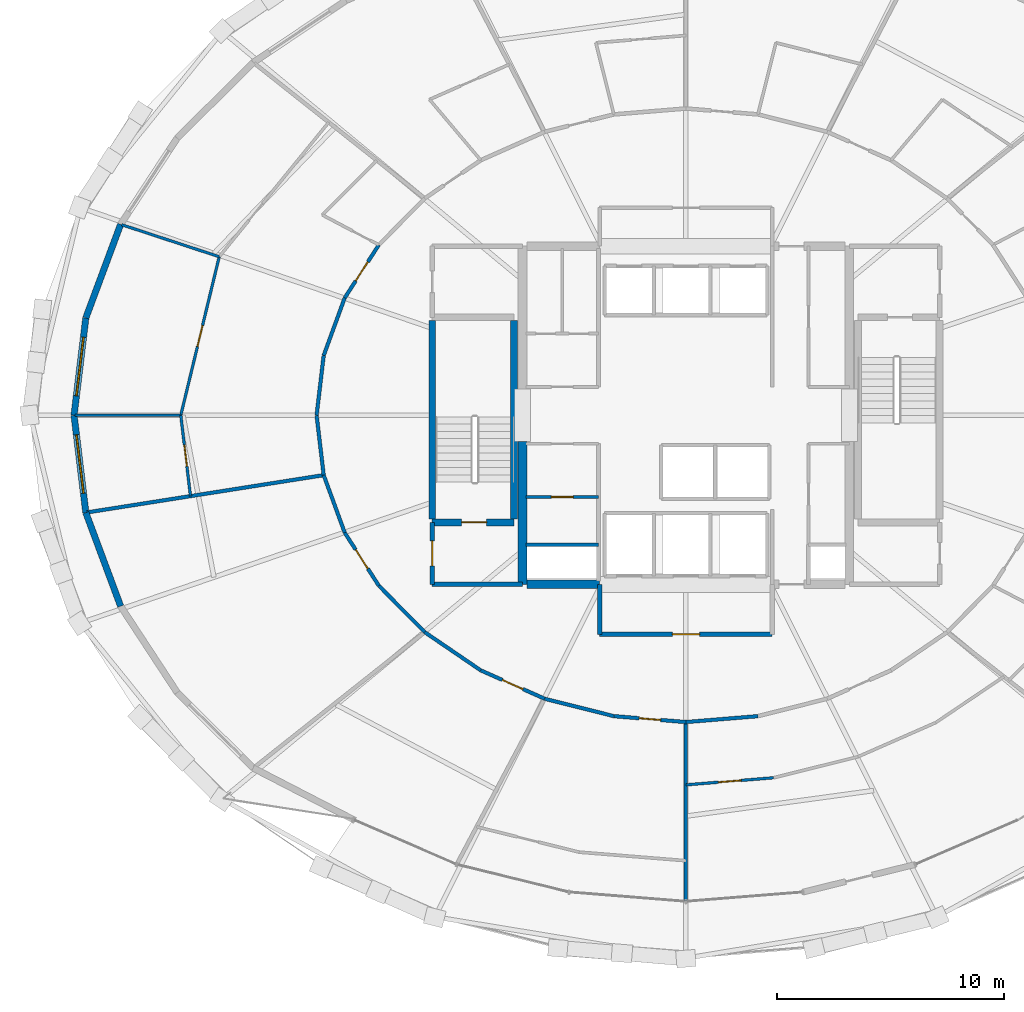
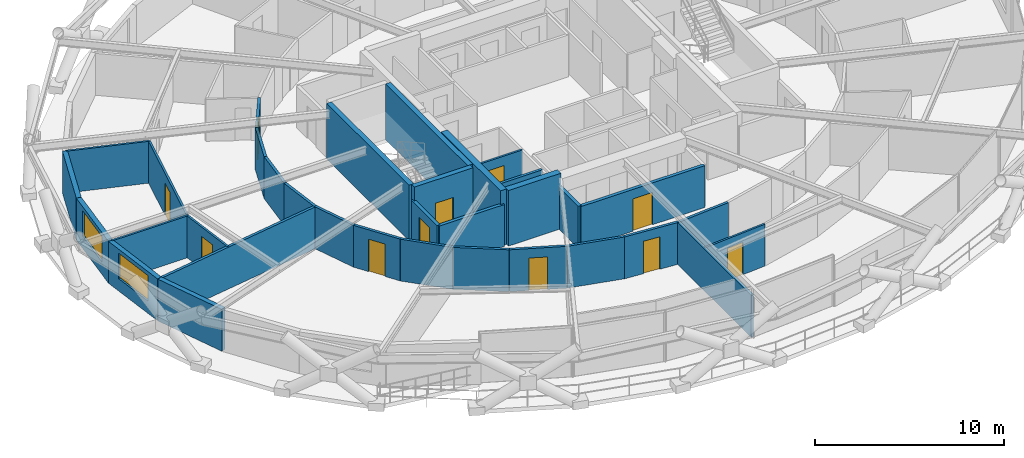
# One storey, part 14 of 21: 34 walls, 11 doors, 2 windows, 13 openings.
"""IFC4 building model written with IfcOpenShell, lengths in metres."""

from ifc_helpers import new_model, si_unit, direction, frame, frame_2d, origin, place, context, subcontext, project, spatial, rectangle, extrude, material, layer, layer_set, type_object, element, fill, save


model = new_model("IFC4")

# Units and contexts
model_context = context("Model", 3, precision=1e-05, world=origin(), true_north=direction((0.0, 1.0)))
body_context = subcontext(model_context, "Body", "Model", "MODEL_VIEW")
ifc_project = project(units=[si_unit("LENGTHUNIT", "METRE"), si_unit("AREAUNIT", "SQUARE_METRE"), si_unit("VOLUMEUNIT", "CUBIC_METRE"), si_unit("PLANEANGLEUNIT", "RADIAN"), si_unit("MASSUNIT", "GRAM", prefix="KILO")], contexts=[model_context])

# Site, building, storey
site_placement = place(None, origin())
site = spatial("IfcSite", under=ifc_project, at=site_placement, CompositionType="ELEMENT")
building_placement = place(site_placement, origin())
building = spatial("IfcBuilding", under=site, at=building_placement, Name="Veldorina Hangang Commons", CompositionType="ELEMENT")
storey_placement = place(building_placement, frame((0.0, 0.0, 91.60009765625)))
storey = spatial("IfcBuildingStorey", under=building, at=storey_placement, Name="L23", CompositionType="ELEMENT", Elevation=91.60009765625)

# Walls
ifc_material_1 = material(Name="Concrete C70/85", Category="concrete")
ifc_layer_1 = layer(ifc_material_1, 0.3798828125)
ifc_layer_set_1 = layer_set([ifc_layer_1], Name="Concrete C70/85")
wall_type_1 = type_object("IfcWallType", Name="CW-RC380-C70", PredefinedType="SHEAR", material=ifc_layer_set_1)
wall_1_placement = place(storey_placement, frame((24.800048828125, 16.550048828125, 0.0), z_axis=(0.0, 0.0, 1.0), x_axis=(0.0, 1.0, 0.0)))
element("IfcWall", 1, at=wall_1_placement, inside=storey, type_object=wall_type_1, Name="L23 W south core shear wall", PredefinedType="SHEAR", context=body_context, shape_type="SweptSolid", body=[
    extrude(rectangle(XDim=6.300048828125, YDim=0.3798828125, at=frame_2d((3.14990234375, 0.0))), origin(), (0.0, 0.0, 1.0), 3.599853515625),
])
wall_2_placement = place(storey_placement, frame((24.989990234375, 16.550048828125, 0.0), z_axis=(0.0, 0.0, 1.0), x_axis=(1.0, 0.0, 0.0)))
element("IfcWall", 2, at=wall_2_placement, inside=storey, type_object=wall_type_1, Name="L23 south-west core shear wall", PredefinedType="SHEAR", context=body_context, shape_type="SweptSolid", body=[
    extrude(rectangle(XDim=3.2099609375, YDim=0.3798828125, at=frame_2d((1.60498046875, 0.0))), origin(), (0.0, 0.0, 1.0), 3.599853515625),
])
ifc_material_2 = material(Name="Stone Roman Travertine", Category="masonry")
ifc_layer_2 = layer(ifc_material_2, 0.280029296875)
ifc_layer_set_2 = layer_set([ifc_layer_2], Name="Stone Roman Travertine")
wall_type_2 = type_object("IfcWallType", Name="EW-TRAV-280", PredefinedType="STANDARD", material=ifc_layer_set_2)
wall_3_placement = place(storey_placement, frame((7.0908203125, 32.413330078125, 0.0), z_axis=(0.0, 0.0, 1.0), x_axis=(-0.348647575397, -0.937253897388, 0.0)))
element("IfcWall", 3, at=wall_3_placement, inside=storey, type_object=wall_type_2, Name="L23 travertine facade wall 14", PredefinedType="STANDARD", context=body_context, shape_type="SweptSolid", body=[
    extrude(rectangle(XDim=4.400390625, YDim=0.280029296875, at=frame_2d((2.2001953125, 0.0))), origin(), (0.0, 0.0, 1.0), 2.7099609375),
])

# Wall, opening, window
wall_4_placement = place(storey_placement, frame((5.556640625, 28.2890625, 0.0), z_axis=(0.0, 0.0, 1.0), x_axis=(-0.11991619344, -0.992784018078, 0.0)))
wall_4 = element("IfcWall", 4, at=wall_4_placement, inside=storey, type_object=wall_type_2, Name="L23 travertine facade wall 15", PredefinedType="STANDARD", context=body_context, shape_type="SweptSolid", body=[
    extrude(rectangle(XDim=4.3203125, YDim=0.280029296875, at=frame_2d((2.16015625, 0.0))), origin(), (0.0, 0.0, 1.0), 2.7099609375),
])
opening_1_placement = place(wall_4_placement, frame((0.860107421875, 0.0, 0.800048828125)))
opening_1 = element("IfcOpeningElement", 5, at=opening_1_placement, cuts=wall_4, Name="Opening W-02", PredefinedType="OPENING", context=body_context, shape_type="SweptSolid", body=[
    extrude(rectangle(XDim=2.60009765625, YDim=1.64990234375, at=frame_2d((1.300048828125, 0.824951171875))), frame((0.0, 0.14990234375, 0.0), z_axis=(0.0, -1.0, 0.0), x_axis=(1.0, 0.0, 0.0)), (0.0, 0.0, 1.0), 0.300048828125),
])
ifc_material_3 = material(Name="Glass Low-E Triple IGU", Category="glass")
window_type = type_object("IfcWindowType", Name="WIN-TWR-2600", PartitioningType="SINGLE_PANEL", PredefinedType="WINDOW", material=ifc_material_3)
window_1_placement = place(opening_1_placement, origin())
window_1 = element("IfcWindow", 6, at=window_1_placement, inside=storey, type_object=window_type, Name="L23 facade window 15", OverallHeight=1.64990234375, OverallWidth=2.60009765625, PartitioningType="SINGLE_PANEL", PredefinedType="WINDOW", context=body_context, shape_type="SweptSolid", body=[
    extrude(rectangle(XDim=2.60009765625, YDim=1.64990234375, at=frame_2d((1.300048828125, 0.824951171875))), frame((0.0, 0.030029296875, 0.0), z_axis=(0.0, -1.0, 0.0), x_axis=(1.0, 0.0, 0.0)), (0.0, 0.0, 1.0), 0.06005859375),
])
fill(opening_1, window_1)

wall_5_placement = place(storey_placement, frame((5.03857421875, 24.0, 0.0), z_axis=(0.0, 0.0, 1.0), x_axis=(0.11991619344, -0.992784018078, 0.0)))
wall_5 = element("IfcWall", 7, at=wall_5_placement, inside=storey, type_object=wall_type_2, Name="L23 travertine facade wall 16", PredefinedType="STANDARD", context=body_context, shape_type="SweptSolid", body=[
    extrude(rectangle(XDim=4.3203125, YDim=0.280029296875, at=frame_2d((2.16015625, 0.0))), origin(), (0.0, 0.0, 1.0), 2.7099609375),
])
opening_2_placement = place(wall_5_placement, frame((0.860107421875, 0.0, 0.800048828125)))
opening_2 = element("IfcOpeningElement", 8, at=opening_2_placement, cuts=wall_5, Name="Opening W-02", PredefinedType="OPENING", context=body_context, shape_type="SweptSolid", body=[
    extrude(rectangle(XDim=2.60009765625, YDim=1.64990234375, at=frame_2d((1.300048828125, 0.824951171875))), frame((0.0, 0.14990234375, 0.0), z_axis=(0.0, -1.0, 0.0), x_axis=(1.0, 0.0, 0.0)), (0.0, 0.0, 1.0), 0.300048828125),
])
window_2_placement = place(opening_2_placement, origin())
window_2 = element("IfcWindow", 9, at=window_2_placement, inside=storey, type_object=window_type, Name="L23 facade window 16", OverallHeight=1.64990234375, OverallWidth=2.60009765625, PartitioningType="SINGLE_PANEL", PredefinedType="WINDOW", context=body_context, shape_type="SweptSolid", body=[
    extrude(rectangle(XDim=2.60009765625, YDim=1.64990234375, at=frame_2d((1.300048828125, 0.824951171875))), frame((0.0, 0.030029296875, 0.0), z_axis=(0.0, -1.0, 0.0), x_axis=(1.0, 0.0, 0.0)), (0.0, 0.0, 1.0), 0.06005859375),
])
fill(opening_2, window_2)

# Walls
wall_6_placement = place(storey_placement, frame((5.556640625, 19.7109375, 0.0), z_axis=(0.0, 0.0, 1.0), x_axis=(0.348647575397, -0.937253897388, 0.0)))
element("IfcWall", 10, at=wall_6_placement, inside=storey, type_object=wall_type_2, Name="L23 travertine facade wall 17", PredefinedType="STANDARD", context=body_context, shape_type="SweptSolid", body=[
    extrude(rectangle(XDim=4.400390625, YDim=0.280029296875, at=frame_2d((2.2001953125, 0.0))), origin(), (0.0, 0.0, 1.0), 2.7099609375),
])
ifc_material_4 = material(Name="Concrete C50/60", Category="concrete")
ifc_layer_3 = layer(ifc_material_4, 0.300048828125)
ifc_layer_set_3 = layer_set([ifc_layer_3], Name="Concrete C50/60")
wall_type_3 = type_object("IfcWallType", Name="SW-STAIR-300", PredefinedType="SHEAR", material=ifc_layer_set_3)
for number, where, z_axis, x_axis, name in (
    (11, (20.820068359375, 19.429931640625, 0.0), (0.0, 0.0, 1.0), (0.0, 1.0, 0.0), "L23 ST1 outer stair shear wall"),
    (12, (24.419921875, 19.429931640625, 0.0), (0.0, 0.0, 1.0), (0.0, 1.0, 0.0), "L23 ST1 inner stair shear wall"),
):
    element("IfcWall", number, at=place(storey_placement, frame(where, z_axis=z_axis, x_axis=x_axis)), inside=storey, type_object=wall_type_3, Name=name, PredefinedType="SHEAR", context=body_context, shape_type="SweptSolid", body=[
        extrude(rectangle(XDim=8.739990234375, YDim=0.300048828125, at=frame_2d((4.3701171875, 0.0))), origin(), (0.0, 0.0, 1.0), 3.599853515625),
    ])

# Wall, opening, door
wall_7_placement = place(storey_placement, frame((20.820068359375, 19.280029296875, 0.0), z_axis=(0.0, 0.0, 1.0), x_axis=(1.0, 0.0, 0.0)))
wall_7 = element("IfcWall", 13, at=wall_7_placement, inside=storey, type_object=wall_type_3, Name="L23 ST1 south stair shear wall", PredefinedType="SHEAR", context=body_context, shape_type="SweptSolid", body=[
    extrude(rectangle(XDim=3.599853515625, YDim=0.300048828125, at=frame_2d((1.7998046875, 0.0))), origin(), (0.0, 0.0, 1.0), 3.599853515625),
])
opening_3_placement = place(wall_7_placement, frame((1.300048828125, 0.0, 0.0)))
opening_3 = element("IfcOpeningElement", 14, at=opening_3_placement, cuts=wall_7, Name="Opening D-08", PredefinedType="OPENING", context=body_context, shape_type="SweptSolid", body=[
    extrude(rectangle(XDim=1.10009765625, YDim=2.10009765625, at=frame_2d((0.550048828125, 1.050048828125))), frame((0.0, 0.16015625, 0.0), z_axis=(0.0, -1.0, 0.0), x_axis=(1.0, 0.0, 0.0)), (0.0, 0.0, 1.0), 0.320068359375),
])
ifc_material_5 = material(Name="Steel Fire-Rated Smoke Seal", Category="steel")
door_type_1 = type_object("IfcDoorType", Name="DR-FIRE-1100", OperationType="SINGLE_SWING_RIGHT", PredefinedType="DOOR", material=ifc_material_5)
door_1_placement = place(opening_3_placement, origin())
door_1 = element("IfcDoor", 15, at=door_1_placement, inside=storey, type_object=door_type_1, Name="L23 Special Escape Stair ST-1 door", OperationType="SINGLE_SWING_LEFT", OverallHeight=2.10009765625, OverallWidth=1.10009765625, PredefinedType="DOOR", context=body_context, shape_type="SweptSolid", body=[
    extrude(rectangle(XDim=1.10009765625, YDim=2.10009765625, at=frame_2d((0.550048828125, 1.050048828125))), frame((0.0, 0.02490234375, 0.0), z_axis=(0.0, -1.0, 0.0), x_axis=(1.0, 0.0, 0.0)), (0.0, 0.0, 1.0), 0.050048828125),
])
fill(opening_3, door_1)

# Wall
ifc_material_6 = material(Name="Gypsum Fire-Rated Twin Stud Wall", Category="gypsum")
ifc_layer_4 = layer(ifc_material_6, 0.159912109375)
ifc_layer_set_4 = layer_set([ifc_layer_4], Name="Gypsum Fire-Rated Twin Stud Wall")
wall_type_4 = type_object("IfcWallType", Name="WL-FIRE-160", PredefinedType="SOLIDWALL", material=ifc_layer_set_4)
wall_8_placement = place(storey_placement, frame((24.949951171875, 18.300048828125, 0.0), z_axis=(0.0, 0.0, 1.0), x_axis=(1.0, 0.0, 0.0)))
element("IfcWall", 16, at=wall_8_placement, inside=storey, type_object=wall_type_4, Name="L23 Electrical riser wall 035", PredefinedType="SOLIDWALL", context=body_context, shape_type="SweptSolid", body=[
    extrude(rectangle(XDim=3.199951171875, YDim=0.159912109375, at=frame_2d((1.60009765625, 0.0))), origin(), (0.0, 0.0, 1.0), 2.7099609375),
])

# Wall, opening, door
wall_9_placement = place(storey_placement, frame((18.46875, 31.51025390625, 0.0), z_axis=(0.0, 0.0, 1.0), x_axis=(-0.541126045017, -0.840941498206, 0.0)))
wall_9 = element("IfcWall", 17, at=wall_9_placement, inside=storey, type_object=wall_type_4, Name="L23 Corridor outer wall 13 061", PredefinedType="SOLIDWALL", context=body_context, shape_type="SweptSolid", body=[
    extrude(rectangle(XDim=2.779296875, YDim=0.159912109375, at=frame_2d((1.3896484375, 0.0))), origin(), (0.0, 0.0, 1.0), 2.7099609375),
])
opening_4_placement = place(wall_9_placement, frame((0.8896484375, 0.0, 0.0)))
opening_4 = element("IfcOpeningElement", 18, at=opening_4_placement, cuts=wall_9, Name="Opening D-06", PredefinedType="OPENING", context=body_context, shape_type="SweptSolid", body=[
    extrude(rectangle(XDim=1.0, YDim=2.10009765625, at=frame_2d((0.5, 1.050048828125))), frame((0.0, 0.08984375, 0.0), z_axis=(0.0, -1.0, 0.0), x_axis=(1.0, 0.0, 0.0)), (0.0, 0.0, 1.0), 0.179931640625),
])
ifc_material_7 = material(Name="Timber Fire-Rated Entrance Core", Category="wood")
door_type_2 = type_object("IfcDoorType", Name="DR-UNIT-1000", OperationType="SINGLE_SWING_LEFT", PredefinedType="DOOR", material=ifc_material_7)
door_2_placement = place(opening_4_placement, origin())
door_2 = element("IfcDoor", 19, at=door_2_placement, inside=storey, type_object=door_type_2, Name="L23 Cluster 10 entrance door 039", OperationType="SINGLE_SWING_LEFT", OverallHeight=2.10009765625, OverallWidth=1.0, PredefinedType="DOOR", context=body_context, shape_type="SweptSolid", body=[
    extrude(rectangle(XDim=1.0, YDim=2.10009765625, at=frame_2d((0.5, 1.050048828125))), frame((0.0, 0.02490234375, 0.0), z_axis=(0.0, -1.0, 0.0), x_axis=(1.0, 0.0, 0.0)), (0.0, 0.0, 1.0), 0.050048828125),
])
fill(opening_4, door_2)

# Walls
wall_10_placement = place(storey_placement, frame((16.96484375, 29.173095703125, 0.0), z_axis=(0.0, 0.0, 1.0), x_axis=(-0.343013437329, -0.939330496583, 0.0)))
element("IfcWall", 20, at=wall_10_placement, inside=storey, type_object=wall_type_4, Name="L23 Corridor outer wall 14 062", PredefinedType="SOLIDWALL", context=body_context, shape_type="SweptSolid", body=[
    extrude(rectangle(XDim=2.69970703125, YDim=0.159912109375, at=frame_2d((1.349853515625, 0.0))), origin(), (0.0, 0.0, 1.0), 2.7099609375),
])
for number, where, z_axis, x_axis, name in (
    (21, (16.038818359375, 26.63720703125, 0.0), (0.0, 0.0, 1.0), (-0.117763961213, -0.99304161516, 0.0), "L23 Corridor outer wall 15 063"),
    (22, (15.72607421875, 24.0, 0.0), (0.0, 0.0, 1.0), (0.117763961213, -0.99304161516, 0.0), "L23 Corridor outer wall 16 064"),
):
    element("IfcWall", number, at=place(storey_placement, frame(where, z_axis=z_axis, x_axis=x_axis)), inside=storey, type_object=wall_type_4, Name=name, PredefinedType="SOLIDWALL", context=body_context, shape_type="SweptSolid", body=[
        extrude(rectangle(XDim=2.65576171875, YDim=0.159912109375, at=frame_2d((1.327880859375, 0.0))), origin(), (0.0, 0.0, 1.0), 2.7099609375),
    ])
wall_11_placement = place(storey_placement, frame((16.038818359375, 21.36279296875, 0.0), z_axis=(0.0, 0.0, 1.0), x_axis=(0.343013437329, -0.939330496583, 0.0)))
element("IfcWall", 23, at=wall_11_placement, inside=storey, type_object=wall_type_4, Name="L23 Corridor outer wall 17 065", PredefinedType="SOLIDWALL", context=body_context, shape_type="SweptSolid", body=[
    extrude(rectangle(XDim=2.69970703125, YDim=0.159912109375, at=frame_2d((1.349853515625, 0.0))), origin(), (0.0, 0.0, 1.0), 2.7099609375),
])

# Wall, opening, door
wall_12_placement = place(storey_placement, frame((16.96484375, 18.826904296875, 0.0), z_axis=(0.0, 0.0, 1.0), x_axis=(0.541126045017, -0.840941498206, 0.0)))
wall_12 = element("IfcWall", 24, at=wall_12_placement, inside=storey, type_object=wall_type_4, Name="L23 Corridor outer wall 18 066", PredefinedType="SOLIDWALL", context=body_context, shape_type="SweptSolid", body=[
    extrude(rectangle(XDim=2.779296875, YDim=0.159912109375, at=frame_2d((1.3896484375, 0.0))), origin(), (0.0, 0.0, 1.0), 2.7099609375),
])
opening_5_placement = place(wall_12_placement, frame((0.8896484375, 0.0, 0.0)))
opening_5 = element("IfcOpeningElement", 25, at=opening_5_placement, cuts=wall_12, Name="Opening D-05", PredefinedType="OPENING", context=body_context, shape_type="SweptSolid", body=[
    extrude(rectangle(XDim=1.0, YDim=2.10009765625, at=frame_2d((0.5, 1.050048828125))), frame((0.0, 0.08984375, 0.0), z_axis=(0.0, -1.0, 0.0), x_axis=(1.0, 0.0, 0.0)), (0.0, 0.0, 1.0), 0.179931640625),
])
ifc_material_8 = material(Name="Timber Solid Core Acoustic", Category="wood")
door_type_3 = type_object("IfcDoorType", Name="DR-INT-1000", OperationType="SINGLE_SWING_RIGHT", PredefinedType="DOOR", material=ifc_material_8)
door_3_placement = place(opening_5_placement, origin())
door_3 = element("IfcDoor", 26, at=door_3_placement, inside=storey, type_object=door_type_3, Name="L23 Floor Study Room 11 door 043", OperationType="SINGLE_SWING_LEFT", OverallHeight=2.10009765625, OverallWidth=1.0, PredefinedType="DOOR", context=body_context, shape_type="SweptSolid", body=[
    extrude(rectangle(XDim=1.0, YDim=2.10009765625, at=frame_2d((0.5, 1.050048828125))), frame((0.0, 0.02490234375, 0.0), z_axis=(0.0, -1.0, 0.0), x_axis=(1.0, 0.0, 0.0)), (0.0, 0.0, 1.0), 0.050048828125),
])
fill(opening_5, door_3)

# Walls
wall_13_placement = place(storey_placement, frame((18.46875, 16.48974609375, 0.0), z_axis=(0.0, 0.0, 1.0), x_axis=(0.702811997, -0.711375636969, 0.0)))
element("IfcWall", 27, at=wall_13_placement, inside=storey, type_object=wall_type_4, Name="L23 Corridor outer wall 19 067", PredefinedType="SOLIDWALL", context=body_context, shape_type="SweptSolid", body=[
    extrude(rectangle(XDim=2.87939453125, YDim=0.159912109375, at=frame_2d((1.439697265625, 0.0))), origin(), (0.0, 0.0, 1.0), 2.7099609375),
])
wall_14_placement = place(storey_placement, frame((20.492431640625, 14.44140625, 0.0), z_axis=(0.0, 0.0, 1.0), x_axis=(0.826293096206, -0.56324037423, 0.0)))
element("IfcWall", 28, at=wall_14_placement, inside=storey, type_object=wall_type_4, Name="L23 Corridor outer wall 20 068", PredefinedType="SOLIDWALL", context=body_context, shape_type="SweptSolid", body=[
    extrude(rectangle(XDim=2.98486328125, YDim=0.159912109375, at=frame_2d((1.492431640625, 0.0))), origin(), (0.0, 0.0, 1.0), 2.7099609375),
])

# Wall, opening, door
wall_15_placement = place(storey_placement, frame((22.958740234375, 12.76025390625, 0.0), z_axis=(0.0, 0.0, 1.0), x_axis=(0.913952123493, -0.405822024984, 0.0)))
wall_15 = element("IfcWall", 29, at=wall_15_placement, inside=storey, type_object=wall_type_4, Name="L23 Corridor outer wall 21 069", PredefinedType="SOLIDWALL", context=body_context, shape_type="SweptSolid", body=[
    extrude(rectangle(XDim=3.078369140625, YDim=0.159912109375, at=frame_2d((1.5390625, 0.0))), origin(), (0.0, 0.0, 1.0), 2.7099609375),
])
opening_6_placement = place(wall_15_placement, frame((1.039306640625, 0.0, 0.0)))
opening_6 = element("IfcOpeningElement", 30, at=opening_6_placement, cuts=wall_15, Name="Opening D-05", PredefinedType="OPENING", context=body_context, shape_type="SweptSolid", body=[
    extrude(rectangle(XDim=1.0, YDim=2.10009765625, at=frame_2d((0.5, 1.050048828125))), frame((0.0, 0.08984375, 0.0), z_axis=(0.0, -1.0, 0.0), x_axis=(1.0, 0.0, 0.0)), (0.0, 0.0, 1.0), 0.179931640625),
])
door_4_placement = place(opening_6_placement, origin())
door_4 = element("IfcDoor", 31, at=door_4_placement, inside=storey, type_object=door_type_3, Name="L23 Seminar Focus Room 12 door 044", OperationType="SINGLE_SWING_RIGHT", OverallHeight=2.10009765625, OverallWidth=1.0, PredefinedType="DOOR", context=body_context, shape_type="SweptSolid", body=[
    extrude(rectangle(XDim=1.0, YDim=2.10009765625, at=frame_2d((0.5, 1.050048828125))), frame((0.0, 0.02490234375, 0.0), z_axis=(0.0, -1.0, 0.0), x_axis=(1.0, 0.0, 0.0)), (0.0, 0.0, 1.0), 0.050048828125),
])
fill(opening_6, door_4)

# Wall
wall_16_placement = place(storey_placement, frame((25.772216796875, 11.510986328125, 0.0), z_axis=(0.0, 0.0, 1.0), x_axis=(0.969689238064, -0.244341526521, 0.0)))
element("IfcWall", 32, at=wall_16_placement, inside=storey, type_object=wall_type_4, Name="L23 Corridor outer wall 22 070", PredefinedType="SOLIDWALL", context=body_context, shape_type="SweptSolid", body=[
    extrude(rectangle(XDim=3.1484375, YDim=0.159912109375, at=frame_2d((1.57421875, 0.0))), origin(), (0.0, 0.0, 1.0), 2.7099609375),
])

# Wall, opening, door
wall_17_placement = place(storey_placement, frame((28.8251953125, 10.74169921875, 0.0), z_axis=(0.0, 0.0, 1.0), x_axis=(0.996669377538, -0.081548463373, 0.0)))
wall_17 = element("IfcWall", 33, at=wall_17_placement, inside=storey, type_object=wall_type_4, Name="L23 Corridor outer wall 23 071", PredefinedType="SOLIDWALL", context=body_context, shape_type="SweptSolid", body=[
    extrude(rectangle(XDim=3.185302734375, YDim=0.159912109375, at=frame_2d((1.5927734375, 0.0))), origin(), (0.0, 0.0, 1.0), 2.7099609375),
])
opening_7_placement = place(wall_17_placement, frame((1.117919921875, 0.0, 0.0)))
opening_7 = element("IfcOpeningElement", 34, at=opening_7_placement, cuts=wall_17, Name="Opening D-02", PredefinedType="OPENING", context=body_context, shape_type="SweptSolid", body=[
    extrude(rectangle(XDim=0.949951171875, YDim=2.10009765625, at=frame_2d((0.47509765625, 1.050048828125))), frame((0.0, 0.08984375, 0.0), z_axis=(0.0, -1.0, 0.0), x_axis=(1.0, 0.0, 0.0)), (0.0, 0.0, 1.0), 0.179931640625),
])
door_type_4 = type_object("IfcDoorType", Name="DR-INT-950", OperationType="SINGLE_SWING_LEFT", PredefinedType="DOOR", material=ifc_material_8)
door_5_placement = place(opening_7_placement, origin())
door_5 = element("IfcDoor", 35, at=door_5_placement, inside=storey, type_object=door_type_4, Name="L23 Linen drying store door 045", OperationType="SINGLE_SWING_LEFT", OverallHeight=2.10009765625, OverallWidth=0.949951171875, PredefinedType="DOOR", context=body_context, shape_type="SweptSolid", body=[
    extrude(rectangle(XDim=0.949951171875, YDim=2.10009765625, at=frame_2d((0.47509765625, 1.050048828125))), frame((0.0, 0.02490234375, 0.0), z_axis=(0.0, -1.0, 0.0), x_axis=(1.0, 0.0, 0.0)), (0.0, 0.0, 1.0), 0.050048828125),
])
fill(opening_7, door_5)

# Walls
wall_18_placement = place(storey_placement, frame((32.0, 10.48193359375, 0.0), z_axis=(0.0, 0.0, 1.0), x_axis=(0.996669377538, 0.081548463373, 0.0)))
element("IfcWall", 36, at=wall_18_placement, inside=storey, type_object=wall_type_4, Name="L23 Corridor outer wall 24 072", PredefinedType="SOLIDWALL", context=body_context, shape_type="SweptSolid", body=[
    extrude(rectangle(XDim=3.185302734375, YDim=0.159912109375, at=frame_2d((1.5927734375, 0.0))), origin(), (0.0, 0.0, 1.0), 2.7099609375),
])
wall_19_placement = place(storey_placement, frame((32.0, 10.48193359375, 0.0), z_axis=(0.0, 0.0, 1.0), x_axis=(0.0, -1.0, 0.0)))
element("IfcWall", 37, at=wall_19_placement, inside=storey, type_object=wall_type_4, Name="L23 Unit party wall 24 080", PredefinedType="SOLIDWALL", context=body_context, shape_type="SweptSolid", body=[
    extrude(rectangle(XDim=7.85693359375, YDim=0.159912109375, at=frame_2d((3.928466796875, 0.0))), origin(), (0.0, 0.0, 1.0), 2.7099609375),
])
wall_20_placement = place(storey_placement, frame((16.038818359375, 21.36279296875, 0.0), z_axis=(0.0, 0.0, 1.0), x_axis=(-0.987810338439, -0.155662247421, 0.0)))
element("IfcWall", 38, at=wall_20_placement, inside=storey, type_object=wall_type_4, Name="L23 Unit party wall 17 117", PredefinedType="SOLIDWALL", context=body_context, shape_type="SweptSolid", body=[
    extrude(rectangle(XDim=10.5615234375, YDim=0.159912109375, at=frame_2d((5.28076171875, 0.0))), origin(), (0.0, 0.0, 1.0), 2.7099609375),
])

# Wall, opening, door
ifc_material_9 = material(Name="Concrete Blockwork Fire Wall C30/37", Category="masonry")
ifc_layer_5 = layer(ifc_material_9, 0.199951171875)
ifc_layer_set_5 = layer_set([ifc_layer_5], Name="Concrete Blockwork Fire Wall C30/37")
wall_type_5 = type_object("IfcWallType", Name="WL-FIRE-200", PredefinedType="SOLIDWALL", material=ifc_layer_set_5)
wall_21_placement = place(storey_placement, frame((20.820068359375, 16.550048828125, 0.0), z_axis=(0.0, 0.0, 1.0), x_axis=(0.0, 1.0, 0.0)))
wall_21 = element("IfcWall", 39, at=wall_21_placement, inside=storey, type_object=wall_type_5, Name="L23 West vestibule outer wall 001", PredefinedType="SOLIDWALL", context=body_context, shape_type="SweptSolid", body=[
    extrude(rectangle(XDim=2.72998046875, YDim=0.199951171875, at=frame_2d((1.364990234375, 0.0))), origin(), (0.0, 0.0, 1.0), 2.7099609375),
])
opening_8_placement = place(wall_21_placement, frame((0.81494140625, 0.0, 0.0)))
opening_8 = element("IfcOpeningElement", 40, at=opening_8_placement, cuts=wall_21, Name="Opening D-08", PredefinedType="OPENING", context=body_context, shape_type="SweptSolid", body=[
    extrude(rectangle(XDim=1.10009765625, YDim=2.10009765625, at=frame_2d((0.550048828125, 1.050048828125))), frame((0.0, 0.10986328125, 0.0), z_axis=(0.0, -1.0, 0.0), x_axis=(1.0, 0.0, 0.0)), (0.0, 0.0, 1.0), 0.219970703125),
])
door_6_placement = place(opening_8_placement, origin())
door_6 = element("IfcDoor", 41, at=door_6_placement, inside=storey, type_object=door_type_1, Name="L23 West vestibule west door 001", OperationType="SINGLE_SWING_LEFT", OverallHeight=2.10009765625, OverallWidth=1.10009765625, PredefinedType="DOOR", context=body_context, shape_type="SweptSolid", body=[
    extrude(rectangle(XDim=1.10009765625, YDim=2.10009765625, at=frame_2d((0.550048828125, 1.050048828125))), frame((0.0, 0.02490234375, 0.0), z_axis=(0.0, -1.0, 0.0), x_axis=(1.0, 0.0, 0.0)), (0.0, 0.0, 1.0), 0.050048828125),
])
fill(opening_8, door_6)

# Walls
wall_22_placement = place(storey_placement, frame((20.820068359375, 16.550048828125, 0.0), z_axis=(0.0, 0.0, 1.0), x_axis=(1.0, 0.0, 0.0)))
element("IfcWall", 42, at=wall_22_placement, inside=storey, type_object=wall_type_5, Name="L23 West vestibule south wall 002", PredefinedType="SOLIDWALL", context=body_context, shape_type="SweptSolid", body=[
    extrude(rectangle(XDim=3.97998046875, YDim=0.199951171875, at=frame_2d((1.989990234375, 0.0))), origin(), (0.0, 0.0, 1.0), 2.7099609375),
])
wall_23_placement = place(storey_placement, frame((28.199951171875, 14.35009765625, 0.0), z_axis=(0.0, 0.0, 1.0), x_axis=(0.0, 1.0, 0.0)))
element("IfcWall", 43, at=wall_23_placement, inside=storey, type_object=wall_type_5, Name="L23 FF lobby west wall 012", PredefinedType="SOLIDWALL", context=body_context, shape_type="SweptSolid", body=[
    extrude(rectangle(XDim=2.199951171875, YDim=0.199951171875, at=frame_2d((1.10009765625, 0.0))), origin(), (0.0, 0.0, 1.0), 2.7099609375),
])

# Wall, opening, door
wall_24_placement = place(storey_placement, frame((28.199951171875, 14.35009765625, 0.0), z_axis=(0.0, 0.0, 1.0), x_axis=(1.0, 0.0, 0.0)))
wall_24 = element("IfcWall", 44, at=wall_24_placement, inside=storey, type_object=wall_type_5, Name="L23 FF lobby south wall 014", PredefinedType="SOLIDWALL", context=body_context, shape_type="SweptSolid", body=[
    extrude(rectangle(XDim=7.60009765625, YDim=0.199951171875, at=frame_2d((3.800048828125, 0.0))), origin(), (0.0, 0.0, 1.0), 2.7099609375),
])
opening_9_placement = place(wall_24_placement, frame((3.199951171875, 0.0, 0.0)))
opening_9 = element("IfcOpeningElement", 45, at=opening_9_placement, cuts=wall_24, Name="Opening D-09", PredefinedType="OPENING", context=body_context, shape_type="SweptSolid", body=[
    extrude(rectangle(XDim=1.199951171875, YDim=2.10009765625, at=frame_2d((0.60009765625, 1.050048828125))), frame((0.0, 0.10986328125, 0.0), z_axis=(0.0, -1.0, 0.0), x_axis=(1.0, 0.0, 0.0)), (0.0, 0.0, 1.0), 0.219970703125),
])
ifc_material_10 = material(Name="Steel Fire-Rated Corridor Door", Category="steel")
door_type_5 = type_object("IfcDoorType", Name="DR-FIRE-1200", OperationType="SINGLE_SWING_LEFT", PredefinedType="DOOR", material=ifc_material_10)
door_7_placement = place(opening_9_placement, origin())
door_7 = element("IfcDoor", 46, at=door_7_placement, inside=storey, type_object=door_type_5, Name="L23 FF lobby south corridor door 005", OperationType="SINGLE_SWING_LEFT", OverallHeight=2.10009765625, OverallWidth=1.199951171875, PredefinedType="DOOR", context=body_context, shape_type="SweptSolid", body=[
    extrude(rectangle(XDim=1.199951171875, YDim=2.10009765625, at=frame_2d((0.60009765625, 1.050048828125))), frame((0.0, 0.02490234375, 0.0), z_axis=(0.0, -1.0, 0.0), x_axis=(1.0, 0.0, 0.0)), (0.0, 0.0, 1.0), 0.050048828125),
])
fill(opening_9, door_7)

ifc_material_11 = material(Name="Gypsum Acoustic Stud Partition", Category="gypsum")
ifc_layer_6 = layer(ifc_material_11, 0.1201171875)
ifc_layer_set_6 = layer_set([ifc_layer_6], Name="Gypsum Acoustic Stud Partition")
wall_type_6 = type_object("IfcWallType", Name="WL-PART-120", PredefinedType="PARTITIONING", material=ifc_layer_set_6)
wall_25_placement = place(storey_placement, frame((24.949951171875, 20.39990234375, 0.0), z_axis=(0.0, 0.0, 1.0), x_axis=(1.0, 0.0, 0.0)))
wall_25 = element("IfcWall", 47, at=wall_25_placement, inside=storey, type_object=wall_type_6, Name="L23 SW horizontal split 047", PredefinedType="PARTITIONING", context=body_context, shape_type="SweptSolid", body=[
    extrude(rectangle(XDim=3.199951171875, YDim=0.1201171875, at=frame_2d((1.60009765625, 0.0))), origin(), (0.0, 0.0, 1.0), 2.7099609375),
])
opening_10_placement = place(wall_25_placement, frame((1.125, 0.0, 0.0)))
opening_10 = element("IfcOpeningElement", 48, at=opening_10_placement, cuts=wall_25, Name="Opening D-02", PredefinedType="OPENING", context=body_context, shape_type="SweptSolid", body=[
    extrude(rectangle(XDim=0.949951171875, YDim=2.10009765625, at=frame_2d((0.47509765625, 1.050048828125))), frame((0.0, 0.070068359375, 0.0), z_axis=(0.0, -1.0, 0.0), x_axis=(1.0, 0.0, 0.0)), (0.0, 0.0, 1.0), 0.14013671875),
])
door_8_placement = place(opening_10_placement, origin())
door_8 = element("IfcDoor", 49, at=door_8_placement, inside=storey, type_object=door_type_4, Name="L23 Archive closet door 017", OperationType="SINGLE_SWING_LEFT", OverallHeight=2.10009765625, OverallWidth=0.949951171875, PredefinedType="DOOR", context=body_context, shape_type="SweptSolid", body=[
    extrude(rectangle(XDim=0.949951171875, YDim=2.10009765625, at=frame_2d((0.47509765625, 1.050048828125))), frame((0.0, 0.02490234375, 0.0), z_axis=(0.0, -1.0, 0.0), x_axis=(1.0, 0.0, 0.0)), (0.0, 0.0, 1.0), 0.050048828125),
])
fill(opening_10, door_8)

wall_26_placement = place(storey_placement, frame((32.0, 7.714599609375, 0.0), z_axis=(0.0, 0.0, 1.0), x_axis=(0.996744649743, 0.080623217549, 0.0)))
wall_26 = element("IfcWall", 50, at=wall_26_placement, inside=storey, type_object=wall_type_6, Name="L23 Lounge alcove split 0 081", PredefinedType="PARTITIONING", context=body_context, shape_type="SweptSolid", body=[
    extrude(rectangle(XDim=3.879150390625, YDim=0.1201171875, at=frame_2d((1.939453125, 0.0))), origin(), (0.0, 0.0, 1.0), 2.7099609375),
])
opening_11_placement = place(wall_26_placement, frame((1.439453125, 0.0, 0.0)))
opening_11 = element("IfcOpeningElement", 51, at=opening_11_placement, cuts=wall_26, Name="Opening D-05", PredefinedType="OPENING", context=body_context, shape_type="SweptSolid", body=[
    extrude(rectangle(XDim=1.0, YDim=2.10009765625, at=frame_2d((0.5, 1.050048828125))), frame((0.0, 0.070068359375, 0.0), z_axis=(0.0, -1.0, 0.0), x_axis=(1.0, 0.0, 0.0)), (0.0, 0.0, 1.0), 0.14013671875),
])
door_9_placement = place(opening_11_placement, origin())
door_9 = element("IfcDoor", 52, at=door_9_placement, inside=storey, type_object=door_type_3, Name="L23 Commons lounge door 021", OperationType="SINGLE_SWING_LEFT", OverallHeight=2.10009765625, OverallWidth=1.0, PredefinedType="DOOR", context=body_context, shape_type="SweptSolid", body=[
    extrude(rectangle(XDim=1.0, YDim=2.10009765625, at=frame_2d((0.5, 1.050048828125))), frame((0.0, 0.02490234375, 0.0), z_axis=(0.0, -1.0, 0.0), x_axis=(1.0, 0.0, 0.0)), (0.0, 0.0, 1.0), 0.050048828125),
])
fill(opening_11, door_9)

wall_27_placement = place(storey_placement, frame((11.435302734375, 30.987548828125, 0.0), z_axis=(0.0, 0.0, 1.0), x_axis=(-0.235650560851, -0.971837853333, 0.0)))
wall_27 = element("IfcWall", 53, at=wall_27_placement, inside=storey, type_object=wall_type_6, Name="L23 Cluster 10 bed 2 front wall 113", PredefinedType="PARTITIONING", context=body_context, shape_type="SweptSolid", body=[
    extrude(rectangle(XDim=7.18994140625, YDim=0.1201171875, at=frame_2d((3.594970703125, 0.0))), origin(), (0.0, 0.0, 1.0), 2.7099609375),
])
opening_12_placement = place(wall_27_placement, frame((3.1201171875, 0.0, 0.0)))
opening_12 = element("IfcOpeningElement", 54, at=opening_12_placement, cuts=wall_27, Name="Opening D-02", PredefinedType="OPENING", context=body_context, shape_type="SweptSolid", body=[
    extrude(rectangle(XDim=0.949951171875, YDim=2.10009765625, at=frame_2d((0.47509765625, 1.050048828125))), frame((0.0, 0.070068359375, 0.0), z_axis=(0.0, -1.0, 0.0), x_axis=(1.0, 0.0, 0.0)), (0.0, 0.0, 1.0), 0.14013671875),
])
door_10_placement = place(opening_12_placement, origin())
door_10 = element("IfcDoor", 55, at=door_10_placement, inside=storey, type_object=door_type_4, Name="L23 Cluster 10 bed 2 door 041", OperationType="SINGLE_SWING_LEFT", OverallHeight=2.10009765625, OverallWidth=0.949951171875, PredefinedType="DOOR", context=body_context, shape_type="SweptSolid", body=[
    extrude(rectangle(XDim=0.949951171875, YDim=2.10009765625, at=frame_2d((0.47509765625, 1.050048828125))), frame((0.0, 0.02490234375, 0.0), z_axis=(0.0, -1.0, 0.0), x_axis=(1.0, 0.0, 0.0)), (0.0, 0.0, 1.0), 0.050048828125),
])
fill(opening_12, door_10)

# Wall
wall_28_placement = place(storey_placement, frame((11.435302734375, 30.987548828125, 0.0), z_axis=(0.0, 0.0, 1.0), x_axis=(-0.950146719348, 0.311803161806, 0.0)))
element("IfcWall", 56, at=wall_28_placement, inside=storey, type_object=wall_type_6, Name="L23 Cluster 10 bed divider 1 114", PredefinedType="PARTITIONING", context=body_context, shape_type="SweptSolid", body=[
    extrude(rectangle(XDim=4.522705078125, YDim=0.1201171875, at=frame_2d((2.26123046875, 0.0))), origin(), (0.0, 0.0, 1.0), 2.7099609375),
])

# Wall, opening, door
wall_29_placement = place(storey_placement, frame((9.740966796875, 24.0, 0.0), z_axis=(0.0, 0.0, 1.0), x_axis=(0.119217667406, -0.992868142191, 0.0)))
wall_29 = element("IfcWall", 57, at=wall_29_placement, inside=storey, type_object=wall_type_6, Name="L23 Cluster 10 bed 3 front wall 115", PredefinedType="PARTITIONING", context=body_context, shape_type="SweptSolid", body=[
    extrude(rectangle(XDim=3.587890625, YDim=0.1201171875, at=frame_2d((1.7939453125, 0.0))), origin(), (0.0, 0.0, 1.0), 2.7099609375),
])
opening_13_placement = place(wall_29_placement, frame((1.319091796875, 0.0, 0.0)))
opening_13 = element("IfcOpeningElement", 58, at=opening_13_placement, cuts=wall_29, Name="Opening D-02", PredefinedType="OPENING", context=body_context, shape_type="SweptSolid", body=[
    extrude(rectangle(XDim=0.949951171875, YDim=2.10009765625, at=frame_2d((0.47509765625, 1.050048828125))), frame((0.0, 0.070068359375, 0.0), z_axis=(0.0, -1.0, 0.0), x_axis=(1.0, 0.0, 0.0)), (0.0, 0.0, 1.0), 0.14013671875),
])
door_11_placement = place(opening_13_placement, origin())
door_11 = element("IfcDoor", 59, at=door_11_placement, inside=storey, type_object=door_type_4, Name="L23 Cluster 10 bed 3 door 042", OperationType="SINGLE_SWING_RIGHT", OverallHeight=2.10009765625, OverallWidth=0.949951171875, PredefinedType="DOOR", context=body_context, shape_type="SweptSolid", body=[
    extrude(rectangle(XDim=0.949951171875, YDim=2.10009765625, at=frame_2d((0.47509765625, 1.050048828125))), frame((0.0, 0.02490234375, 0.0), z_axis=(0.0, -1.0, 0.0), x_axis=(1.0, 0.0, 0.0)), (0.0, 0.0, 1.0), 0.050048828125),
])
fill(opening_13, door_11)

# Wall
wall_30_placement = place(storey_placement, frame((9.740966796875, 24.0, 0.0), z_axis=(0.0, 0.0, 1.0), x_axis=(-1.0, 0.0, 0.0)))
element("IfcWall", 60, at=wall_30_placement, inside=storey, type_object=wall_type_6, Name="L23 Cluster 10 bed divider 2 116", PredefinedType="PARTITIONING", context=body_context, shape_type="SweptSolid", body=[
    extrude(rectangle(XDim=4.652587890625, YDim=0.1201171875, at=frame_2d((2.326171875, 0.0))), origin(), (0.0, 0.0, 1.0), 2.7099609375),
])

save(model, "model.ifc")
